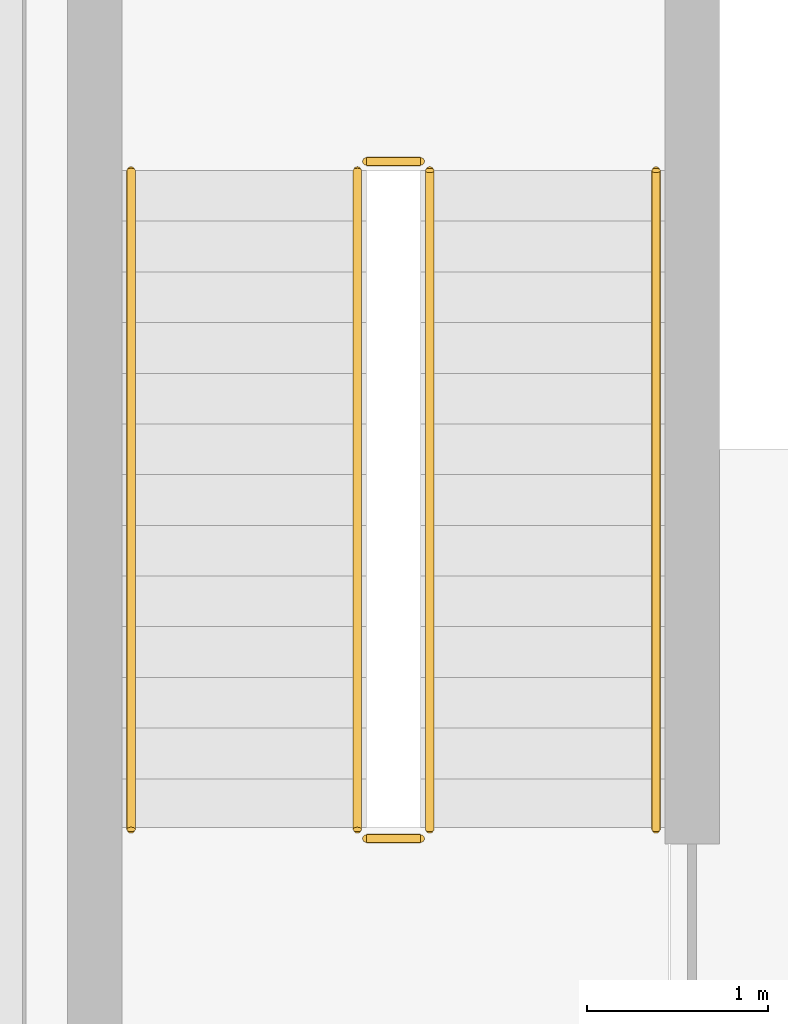
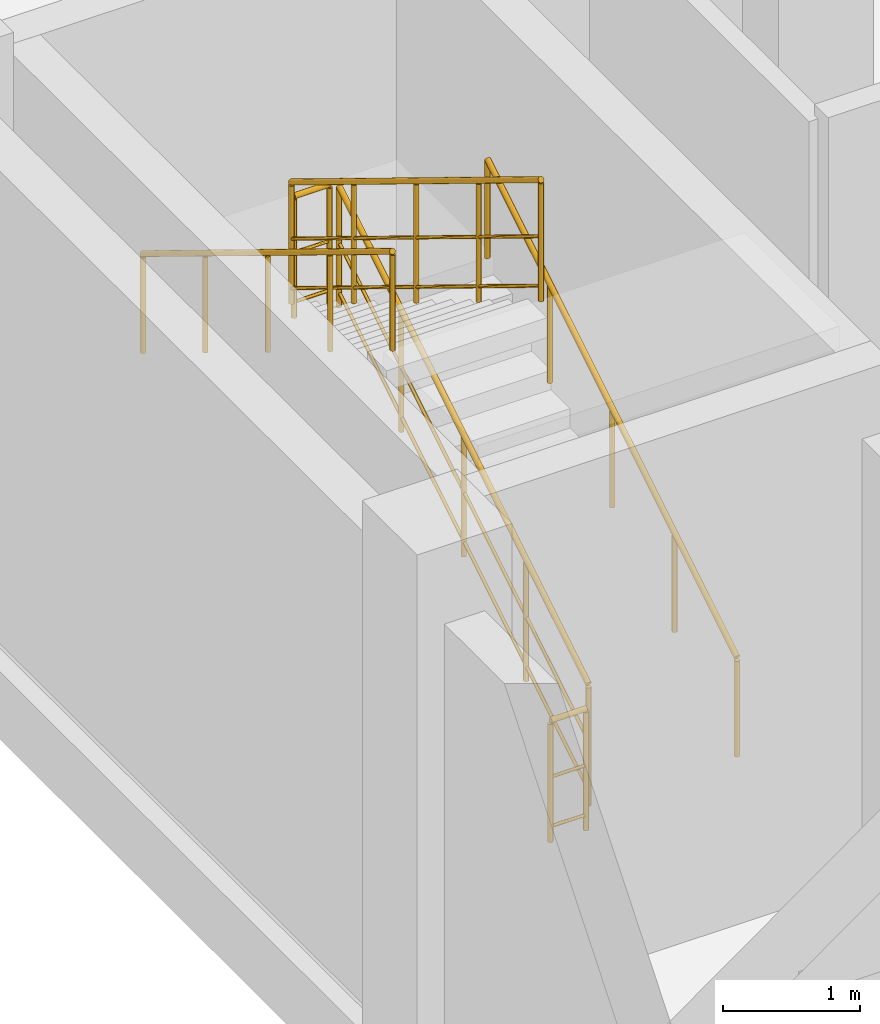
# One storey, part 86 of 91: 6 railings.
"""IFC4 building model written with IfcOpenShell, lengths in metres."""

from ifc_helpers import new_model, si_unit, direction, frame, origin, origin_2d, place, context, subcontext, project, spatial, circle, extrude, material, type_object, element, save


model = new_model("IFC4")

# Units and contexts
model_context = context("Model", 3, precision=1e-05, world=origin(), true_north=direction((0.0, 1.0)))
body_context = subcontext(model_context, "Body", "Model", "MODEL_VIEW")
ifc_project = project(units=[si_unit("LENGTHUNIT", "METRE"), si_unit("AREAUNIT", "SQUARE_METRE"), si_unit("VOLUMEUNIT", "CUBIC_METRE"), si_unit("PLANEANGLEUNIT", "RADIAN"), si_unit("MASSUNIT", "GRAM", prefix="KILO")], contexts=[model_context])

# Site, building, storey
site_placement = place(None, origin())
site = spatial("IfcSite", under=ifc_project, at=site_placement, CompositionType="ELEMENT")
building_placement = place(site_placement, origin())
building = spatial("IfcBuilding", under=site, at=building_placement, Name="Vinh Khe Railworks Police Headquarters", CompositionType="ELEMENT")
storey_placement = place(building_placement, origin())
storey = spatial("IfcBuildingStorey", under=building, at=storey_placement, Name="L00", CompositionType="ELEMENT", Elevation=0.0)

# Railings
ifc_material_1 = material(Name="Painted tubular steel", Category="steel")
railing_type_1 = type_object("IfcRailingType", Name="RL-GUARD-1100", PredefinedType="GUARDRAIL", material=ifc_material_1)
railing_1_placement = place(storey_placement, frame((3.0, 82.949951171875, 0.17138671875)))
element("IfcRailing", 1, at=railing_1_placement, inside=storey, type_object=railing_type_1, Name="L00 ST-02 stair guard 1", PredefinedType="GUARDRAIL", context=body_context, shape_type="SweptSolid", body=[
    extrude(circle(Radius=0.02392578125, at=origin_2d()), frame((0.0, 0.0, 1.076171875), z_axis=(0.0, 0.852865859571, 0.52213008492), x_axis=(-1.0, 0.0, 0.0)), (0.0, 0.0, 1.0), 4.26806640625),
    extrude(circle(Radius=0.01416015625, at=origin_2d()), frame((0.0, 0.0, 0.132080078125), z_axis=(0.0, 0.852865859571, 0.52213008492), x_axis=(-1.0, 0.0, 0.0)), (0.0, 0.0, 1.0), 4.26806640625),
    extrude(circle(Radius=0.01416015625, at=origin_2d()), frame((0.0, 0.0, 0.572021484375), z_axis=(0.0, 0.852865859571, 0.52213008492), x_axis=(-1.0, 0.0, 0.0)), (0.0, 0.0, 1.0), 4.26806640625),
    extrude(circle(Radius=0.02099609375, at=origin_2d()), origin(), (0.0, 0.0, 1.0), 1.052001953125),
    extrude(circle(Radius=0.02099609375, at=origin_2d()), frame((0.0, 0.91015625, 0.55712890625)), (0.0, 0.0, 1.0), 1.052001953125),
    extrude(circle(Radius=0.02099609375, at=origin_2d()), frame((0.0, 1.820068359375, 1.1142578125)), (0.0, 0.0, 1.0), 1.052001953125),
    extrude(circle(Radius=0.02099609375, at=origin_2d()), frame((0.0, 2.72998046875, 1.67138671875)), (0.0, 0.0, 1.0), 1.052001953125),
    extrude(circle(Radius=0.02099609375, at=origin_2d()), frame((0.0, 3.64013671875, 2.228515625)), (0.0, 0.0, 1.0), 1.052001953125),
])
railing_2_placement = place(storey_placement, frame((2.949951171875, 86.639892578125, 2.39990234375)))
element("IfcRailing", 2, at=railing_2_placement, inside=storey, type_object=railing_type_1, Name="L00 ST-02 stair guard 2", PredefinedType="GUARDRAIL", context=body_context, shape_type="SweptSolid", body=[
    extrude(circle(Radius=0.02392578125, at=origin_2d()), frame((0.0, 0.0, 1.076171875), z_axis=(-1.0, 0.0, 0.0), x_axis=(0.0, -1.0, 0.0)), (0.0, 0.0, 1.0), 0.300048828125),
    extrude(circle(Radius=0.01416015625, at=origin_2d()), frame((0.0, 0.0, 0.132080078125), z_axis=(-1.0, 0.0, 0.0), x_axis=(0.0, -1.0, 0.0)), (0.0, 0.0, 1.0), 0.300048828125),
    extrude(circle(Radius=0.01416015625, at=origin_2d()), frame((0.0, 0.0, 0.572021484375), z_axis=(-1.0, 0.0, 0.0), x_axis=(0.0, -1.0, 0.0)), (0.0, 0.0, 1.0), 0.300048828125),
    extrude(circle(Radius=0.02099609375, at=origin_2d()), origin(), (0.0, 0.0, 1.0), 1.052001953125),
    extrude(circle(Radius=0.02099609375, at=origin_2d()), frame((-0.300048828125, 0.0, 0.0)), (0.0, 0.0, 1.0), 1.052001953125),
])
railing_3_placement = place(storey_placement, frame((2.60009765625, 86.590087890625, 2.571533203125)))
element("IfcRailing", 3, at=railing_3_placement, inside=storey, type_object=railing_type_1, Name="L00 ST-02 stair guard 3", PredefinedType="GUARDRAIL", context=body_context, shape_type="SweptSolid", body=[
    extrude(circle(Radius=0.02392578125, at=origin_2d()), frame((0.0, 0.0, 1.076171875), z_axis=(0.0, -0.852865859571, 0.52213008492), x_axis=(1.0, 0.0, 0.0)), (0.0, 0.0, 1.0), 4.26806640625),
    extrude(circle(Radius=0.01416015625, at=origin_2d()), frame((0.0, 0.0, 0.132080078125), z_axis=(0.0, -0.852865859571, 0.52213008492), x_axis=(1.0, 0.0, 0.0)), (0.0, 0.0, 1.0), 4.26806640625),
    extrude(circle(Radius=0.01416015625, at=origin_2d()), frame((0.0, 0.0, 0.572021484375), z_axis=(0.0, -0.852865859571, 0.52213008492), x_axis=(1.0, 0.0, 0.0)), (0.0, 0.0, 1.0), 4.26806640625),
    extrude(circle(Radius=0.02099609375, at=origin_2d()), origin(), (0.0, 0.0, 1.0), 1.052001953125),
    extrude(circle(Radius=0.02099609375, at=origin_2d()), frame((0.0, -0.91015625, 0.55712890625)), (0.0, 0.0, 1.0), 1.052001953125),
    extrude(circle(Radius=0.02099609375, at=origin_2d()), frame((0.0, -1.820068359375, 1.1142578125)), (0.0, 0.0, 1.0), 1.052001953125),
    extrude(circle(Radius=0.02099609375, at=origin_2d()), frame((0.0, -2.72998046875, 1.67138671875)), (0.0, 0.0, 1.0), 1.052001953125),
    extrude(circle(Radius=0.02099609375, at=origin_2d()), frame((0.0, -3.64013671875, 2.228515625)), (0.0, 0.0, 1.0), 1.052001953125),
])
railing_4_placement = place(storey_placement, frame((2.949951171875, 82.89990234375, 0.0)))
element("IfcRailing", 4, at=railing_4_placement, inside=storey, type_object=railing_type_1, Name="L00 ST-02 stair guard 4", PredefinedType="GUARDRAIL", context=body_context, shape_type="SweptSolid", body=[
    extrude(circle(Radius=0.02392578125, at=origin_2d()), frame((0.0, 0.0, 1.076171875), z_axis=(-1.0, 0.0, 0.0), x_axis=(0.0, -1.0, 0.0)), (0.0, 0.0, 1.0), 0.300048828125),
    extrude(circle(Radius=0.01416015625, at=origin_2d()), frame((0.0, 0.0, 0.132080078125), z_axis=(-1.0, 0.0, 0.0), x_axis=(0.0, -1.0, 0.0)), (0.0, 0.0, 1.0), 0.300048828125),
    extrude(circle(Radius=0.01416015625, at=origin_2d()), frame((0.0, 0.0, 0.572021484375), z_axis=(-1.0, 0.0, 0.0), x_axis=(0.0, -1.0, 0.0)), (0.0, 0.0, 1.0), 0.300048828125),
    extrude(circle(Radius=0.02099609375, at=origin_2d()), origin(), (0.0, 0.0, 1.0), 1.052001953125),
    extrude(circle(Radius=0.02099609375, at=origin_2d()), frame((-0.300048828125, 0.0, 0.0)), (0.0, 0.0, 1.0), 1.052001953125),
])
ifc_material_2 = material(Name="Brushed stainless steel", Category="steel")
railing_type_2 = type_object("IfcRailingType", Name="RL-HAND-900", PredefinedType="HANDRAIL", material=ifc_material_2)
railing_5_placement = place(storey_placement, frame((4.25, 82.949951171875, 0.17138671875)))
element("IfcRailing", 5, at=railing_5_placement, inside=storey, type_object=railing_type_2, Name="L00 ST-02 stair handrail 1", PredefinedType="HANDRAIL", context=body_context, shape_type="SweptSolid", body=[
    extrude(circle(Radius=0.02392578125, at=origin_2d()), frame((0.0, 0.0, 0.8759765625), z_axis=(0.0, 0.852865859571, 0.52213008492), x_axis=(-1.0, 0.0, 0.0)), (0.0, 0.0, 1.0), 4.26806640625),
    extrude(circle(Radius=0.02099609375, at=origin_2d()), origin(), (0.0, 0.0, 1.0), 0.851806640625),
    extrude(circle(Radius=0.02099609375, at=origin_2d()), frame((0.0, 0.91015625, 0.55712890625)), (0.0, 0.0, 1.0), 0.851806640625),
    extrude(circle(Radius=0.02099609375, at=origin_2d()), frame((0.0, 1.820068359375, 1.1142578125)), (0.0, 0.0, 1.0), 0.851806640625),
    extrude(circle(Radius=0.02099609375, at=origin_2d()), frame((0.0, 2.72998046875, 1.67138671875)), (0.0, 0.0, 1.0), 0.851806640625),
    extrude(circle(Radius=0.02099609375, at=origin_2d()), frame((0.0, 3.64013671875, 2.228515625)), (0.0, 0.0, 1.0), 0.851806640625),
])
railing_6_placement = place(storey_placement, frame((1.35009765625, 86.590087890625, 2.571533203125)))
element("IfcRailing", 6, at=railing_6_placement, inside=storey, type_object=railing_type_2, Name="L00 ST-02 stair handrail 2", PredefinedType="HANDRAIL", context=body_context, shape_type="SweptSolid", body=[
    extrude(circle(Radius=0.02392578125, at=origin_2d()), frame((0.0, 0.0, 0.8759765625), z_axis=(0.0, -0.852865859571, 0.52213008492), x_axis=(1.0, 0.0, 0.0)), (0.0, 0.0, 1.0), 4.26806640625),
    extrude(circle(Radius=0.02099609375, at=origin_2d()), origin(), (0.0, 0.0, 1.0), 0.851806640625),
    extrude(circle(Radius=0.02099609375, at=origin_2d()), frame((0.0, -0.91015625, 0.55712890625)), (0.0, 0.0, 1.0), 0.851806640625),
    extrude(circle(Radius=0.02099609375, at=origin_2d()), frame((0.0, -1.820068359375, 1.1142578125)), (0.0, 0.0, 1.0), 0.851806640625),
    extrude(circle(Radius=0.02099609375, at=origin_2d()), frame((0.0, -2.72998046875, 1.67138671875)), (0.0, 0.0, 1.0), 0.851806640625),
    extrude(circle(Radius=0.02099609375, at=origin_2d()), frame((0.0, -3.64013671875, 2.228515625)), (0.0, 0.0, 1.0), 0.851806640625),
])

save(model, "model.ifc")
